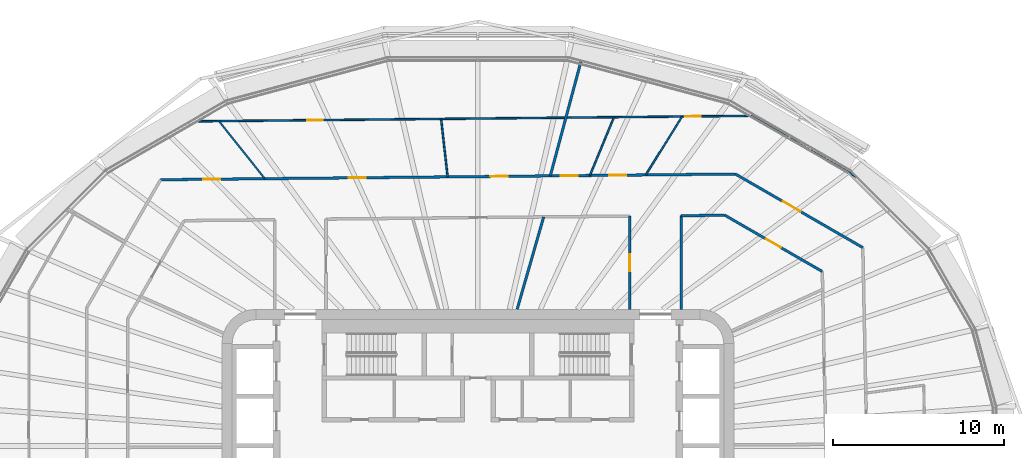
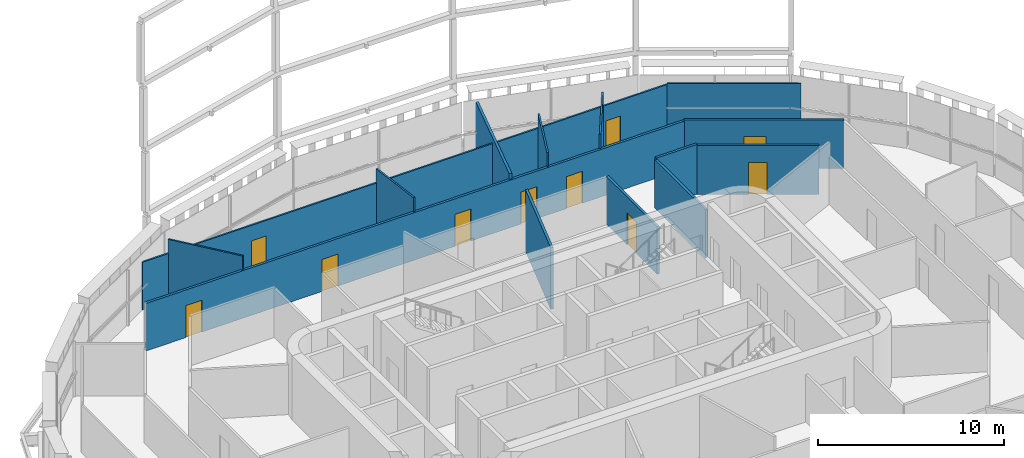
# One storey, part 14 of 22: 14 walls, 10 doors, 10 openings.
"""IFC4 building model written with IfcOpenShell, lengths in metres."""

import ifcopenshell
import ifcopenshell.guid

model = None  # the IFC model being written
_history = None  # IfcOwnerHistory: only IFC2X3 demands one
_inside = {}  # id of a spatial element -> (the spatial element, [elements in it])
_under = {}  # id of a project, library or spatial element -> (it, [spatial elements below it])
_declared = {}  # id of a project -> (the project, [libraries it declares])
_typed = {}  # id of a type object -> (the type object, [elements of that type])
_made_of = {}  # id of a material, layer set ... -> (it, [elements and type objects made of it])


def new_model(schema):
    """Start an empty IFC model of exactly this schema.

    Asked for "IFC4X3", IfcOpenShell would pick the latest addendum, in which some entities
    have other attributes; the version numbers below select the first issue.
    IFC2X3 requires an IfcOwnerHistory on every rooted entity: one is made here for all.
    """
    global model, _history
    if schema == "IFC4X3":
        model = ifcopenshell.file(schema_version=(4, 3, 0, 0))
    else:
        model = ifcopenshell.file(schema=schema)
    _inside.clear()
    _under.clear()
    _declared.clear()
    _typed.clear()
    _made_of.clear()
    _history = None
    if model.schema == "IFC2X3":
        org = make("IfcOrganization", Name="unknown")
        user = make(
            "IfcPersonAndOrganization",
            ThePerson=make("IfcPerson", FamilyName="unknown"),
            TheOrganization=org,
        )
        app = make(
            "IfcApplication",
            ApplicationDeveloper=org,
            Version="unknown",
            ApplicationFullName="unknown",
            ApplicationIdentifier="unknown",
        )
        _history = make(
            "IfcOwnerHistory",
            OwningUser=user,
            OwningApplication=app,
            ChangeAction="ADDED",
            CreationDate=0,
        )
    return model


def make(cls, **values):
    """One entity of the class cls with the attributes given. An attribute that is None is left unset."""
    return model.create_entity(
        cls, **{name: value for name, value in values.items() if value is not None}
    )


def rooted(cls, **values):
    """An entity with a GlobalId (a new one), such as an element, a storey or a relation."""
    return make(cls, GlobalId=ifcopenshell.guid.new(), OwnerHistory=_history, **values)


def si_unit(unit_type, name, prefix=None):
    """IfcSIUnit, for example si_unit("LENGTHUNIT", "METRE", prefix="MILLI")."""
    return make("IfcSIUnit", UnitType=unit_type, Prefix=prefix, Name=name)


def assignment(units):
    """IfcUnitAssignment: the units of a project."""
    return None if units is None else make("IfcUnitAssignment", Units=units)


def point(xyz):
    """IfcCartesianPoint."""
    return None if xyz is None else make("IfcCartesianPoint", Coordinates=xyz)


def direction(xyz):
    """IfcDirection."""
    return None if xyz is None else make("IfcDirection", DirectionRatios=xyz)


def frame(location, z_axis=None, x_axis=None):
    """IfcAxis2Placement3D, a coordinate frame: its origin and axes. An axis left out is left unset."""
    return make(
        "IfcAxis2Placement3D",
        Location=point(location),
        Axis=direction(z_axis),
        RefDirection=direction(x_axis),
    )


def frame_2d(location, x_axis=None):
    """IfcAxis2Placement2D, a coordinate frame in the plane: its origin and x axis."""
    return make(
        "IfcAxis2Placement2D", Location=point(location), RefDirection=direction(x_axis)
    )


def origin():
    """The frame at (0, 0, 0) with its axes left unset."""
    return frame((0.0, 0.0, 0.0))


def place(relative_to, where):
    """IfcLocalPlacement: puts the frame where relative to a parent placement (None: the world)."""
    return make(
        "IfcLocalPlacement", PlacementRelTo=relative_to, RelativePlacement=where
    )


def context(
    kind, dimensions, precision=None, world=None, true_north=None, identifier=None
):
    """IfcGeometricRepresentationContext, for example the 3D "Model" context."""
    return make(
        "IfcGeometricRepresentationContext",
        ContextIdentifier=identifier,
        ContextType=kind,
        CoordinateSpaceDimension=dimensions,
        Precision=precision,
        WorldCoordinateSystem=world,
        TrueNorth=true_north,
    )


def subcontext(parent, identifier, kind, view, scale=None):
    """IfcGeometricRepresentationSubContext, for example "Body" below "Model"."""
    return make(
        "IfcGeometricRepresentationSubContext",
        ContextIdentifier=identifier,
        ContextType=kind,
        ParentContext=parent,
        TargetScale=scale,
        TargetView=view,
    )


def project(units=None, contexts=None):
    """IfcProject with its units and contexts."""
    return rooted(
        "IfcProject",
        Name="project",
        RepresentationContexts=contexts,
        UnitsInContext=assignment(units),
    )


def spatial(cls, under=None, at=None, **own):
    """A site, building, storey or space (cls), placed at a placement, below another one or the project."""
    s = rooted(cls, ObjectPlacement=at, **own)
    if under is not None:
        _under.setdefault(under.id(), (under, []))[1].append(s)
    return s


def profile(cls, at=None, kind="AREA", **sizes):
    """A parametric profile (cls). Its sizes go by their IFC names, for example OverallWidth=200.0."""
    return make(cls, ProfileType=kind, Position=at, **sizes)


def rectangle(**sizes):
    """IfcRectangleProfileDef."""
    return profile("IfcRectangleProfileDef", **sizes)


def extrude(swept, where, along, depth):
    """IfcExtrudedAreaSolid: the profile swept, set in the frame where, extruded along a direction by depth."""
    return make(
        "IfcExtrudedAreaSolid",
        SweptArea=swept,
        Position=where,
        ExtrudedDirection=direction(along),
        Depth=depth,
    )


def shape(context_of_items, identifier, shape_type, items):
    """IfcShapeRepresentation: the items that make up one representation, for example the "Body"."""
    return make(
        "IfcShapeRepresentation",
        ContextOfItems=context_of_items,
        RepresentationIdentifier=identifier,
        RepresentationType=shape_type,
        Items=items,
    )


def material(Name=None, Category=None):
    """IfcMaterial."""
    return make("IfcMaterial", Name=Name, Category=Category)


def layer(
    of_material, thickness, ventilated=None, Name=None, Category=None, Priority=None
):
    """IfcMaterialLayer: one layer of a wall or slab, of a material (None: an air gap)."""
    return make(
        "IfcMaterialLayer",
        Material=of_material,
        LayerThickness=thickness,
        IsVentilated=ventilated,
        Name=Name,
        Category=Category,
        Priority=Priority,
    )


def layer_set(layers, Name=None):
    """IfcMaterialLayerSet."""
    return make("IfcMaterialLayerSet", MaterialLayers=layers, LayerSetName=Name)


def made_of(thing, what):
    """Note that an element or type object is made of a material, layer set ...; save() writes the relation."""
    if what is not None:
        _made_of.setdefault(what.id(), (what, []))[1].append(thing)
    return thing


def type_object(cls, material=None, **own):
    """A type object (cls), such as IfcWallType, which elements share."""
    return made_of(rooted(cls, **own), material)


def element(
    cls,
    number,
    at=None,
    inside=None,
    cuts=None,
    type_object=None,
    material=None,
    context=None,
    identifier="Body",
    shape_type=None,
    held_by="IfcProductDefinitionShape",
    body=None,
    shapes=None,
    **own,
):
    """One element of the class cls, such as IfcWall. Its Tag is "e" and its number.

    at: its placement. inside: the storey or other place that contains it. cuts: it is an
    opening in that element (IfcRelVoidsElement). A single representation is given by context,
    identifier, shape_type and body (its items); several are given by shapes. held_by: the class
    of the entity that holds the representations. save() writes the other relations.
    """
    e = rooted(cls, Tag="e%d" % number, ObjectPlacement=at, **own)
    if body is not None:
        shapes = [shape(context, identifier, shape_type, body)]
    if shapes is not None:
        e.Representation = make(held_by, Representations=shapes)
    if inside is not None:
        _inside.setdefault(inside.id(), (inside, []))[1].append(e)
    if cuts is not None:
        rooted(
            "IfcRelVoidsElement", RelatingBuildingElement=cuts, RelatedOpeningElement=e
        )
    if type_object is not None:
        _typed.setdefault(type_object.id(), (type_object, []))[1].append(e)
    return made_of(e, material)


def fill(opening, filler):
    """IfcRelFillsElement: the door or window that sits in an opening."""
    return rooted(
        "IfcRelFillsElement",
        RelatingOpeningElement=opening,
        RelatedBuildingElement=filler,
    )


def aggregate(whole, parts):
    """IfcRelAggregates: a whole, such as a stair, and the parts it consists of."""
    return rooted("IfcRelAggregates", RelatingObject=whole, RelatedObjects=parts)


def save(model, path):
    """Write the relations noted so far, then the file.

    IfcRelAggregates (storeys below a building ...), IfcRelContainedInSpatialStructure (elements
    in a storey), IfcRelDefinesByType, IfcRelAssociatesMaterial and IfcRelDeclares: one each for
    every whole, place, type object, material and project.
    """
    for whole, parts in _under.values():
        aggregate(whole, parts)
    for where, things in _inside.values():
        rooted(
            "IfcRelContainedInSpatialStructure",
            RelatedElements=things,
            RelatingStructure=where,
        )
    for kind, things in _typed.values():
        rooted("IfcRelDefinesByType", RelatedObjects=things, RelatingType=kind)
    for what, things in _made_of.values():
        rooted("IfcRelAssociatesMaterial", RelatedObjects=things, RelatingMaterial=what)
    for by, libraries in _declared.values():
        rooted("IfcRelDeclares", RelatingContext=by, RelatedDefinitions=libraries)
    model.write(path)


model = new_model("IFC4")

# Units and contexts
model_context = context("Model", 3, precision=1e-05, world=origin(), true_north=direction((0.0, 1.0)))
body_context = subcontext(model_context, "Body", "Model", "MODEL_VIEW")
ifc_project = project(units=[si_unit("LENGTHUNIT", "METRE"), si_unit("AREAUNIT", "SQUARE_METRE"), si_unit("VOLUMEUNIT", "CUBIC_METRE"), si_unit("PLANEANGLEUNIT", "RADIAN"), si_unit("MASSUNIT", "GRAM", prefix="KILO")], contexts=[model_context])

# Site, building, storey
site_placement = place(None, origin())
site = spatial("IfcSite", under=ifc_project, at=site_placement, CompositionType="ELEMENT")
building_placement = place(site_placement, origin())
building = spatial("IfcBuilding", under=site, at=building_placement, Name="Sahrelin Media Tower", CompositionType="ELEMENT")
storey_placement = place(building_placement, frame((0.0, 0.0, 50.39990234375)))
storey = spatial("IfcBuildingStorey", under=building, at=storey_placement, Name="L07", CompositionType="ELEMENT", Elevation=50.39990234375)

# Wall, opening, door
ifc_material_1 = material(Name="Fire-rated gypsum board partition")
ifc_layer_1 = layer(ifc_material_1, 0.14990234375)
ifc_layer_set_1 = layer_set([ifc_layer_1], Name="Fire-rated partition 150")
wall_type_1 = type_object("IfcWallType", Name="Fire-rated partition 150", PredefinedType="PARTITIONING", material=ifc_layer_set_1)
wall_1_placement = place(storey_placement, frame((14.447998046875, 13.514892578125, 0.0), z_axis=(0.0, 0.0, 1.0), x_axis=(0.86594975937, -0.500130997087, 0.0)))
wall_1 = element("IfcWall", 1, at=wall_1_placement, inside=storey, type_object=wall_type_1, Name="Wall", PredefinedType="PARTITIONING", context=body_context, shape_type="SweptSolid", body=[
    extrude(rectangle(XDim=6.603759765625, YDim=0.14990234375, at=frame_2d((3.3017578125, 0.0))), origin(), (0.0, 0.0, 1.0), 3.1953125),
])
opening_1_placement = place(wall_1_placement, frame((2.8046875, 0.0, 0.0)))
opening_1 = element("IfcOpeningElement", 2, at=opening_1_placement, cuts=wall_1, Name="Opening L07-D29", PredefinedType="OPENING", context=body_context, shape_type="SweptSolid", body=[
    extrude(rectangle(XDim=1.0, YDim=2.10009765625, at=frame_2d((0.5, 1.050048828125))), frame((0.0, 0.074951171875, 0.0), z_axis=(0.0, -1.0, 0.0), x_axis=(1.0, 0.0, 0.0)), (0.0, 0.0, 1.0), 0.14990234375),
])
ifc_material_2 = material(Name="Steel fire door leaf", Category="steel")
door_type_1 = type_object("IfcDoorType", Name="Fire door 1000 x 2100 EI 60", OperationType="NOTDEFINED", PredefinedType="DOOR", material=ifc_material_2)
door_1_placement = place(opening_1_placement, origin())
door_1 = element("IfcDoor", 3, at=door_1_placement, inside=storey, type_object=door_type_1, Name="Fire door", OperationType="SINGLE_SWING_LEFT", OverallHeight=2.10009765625, OverallWidth=1.0, PredefinedType="DOOR", context=body_context, shape_type="SweptSolid", body=[
    extrude(rectangle(XDim=1.0, YDim=2.10009765625, at=frame_2d((0.5, 1.050048828125))), frame((0.0, 0.02490234375, 0.0), z_axis=(0.0, -1.0, 0.0), x_axis=(1.0, 0.0, 0.0)), (0.0, 0.0, 1.0), 0.050048828125),
])
fill(opening_1, door_1)

wall_2_placement = place(storey_placement, frame((15.080078125, 15.9208984375, 0.0), z_axis=(0.0, 0.0, 1.0), x_axis=(0.865938192663, -0.500151023679, 0.0)))
wall_2 = element("IfcWall", 4, at=wall_2_placement, inside=storey, type_object=wall_type_1, Name="Wall", PredefinedType="PARTITIONING", context=body_context, shape_type="SweptSolid", body=[
    extrude(rectangle(XDim=8.612548828125, YDim=0.14990234375, at=frame_2d((4.30615234375, 0.0))), origin(), (0.0, 0.0, 1.0), 3.1953125),
])
opening_2_placement = place(wall_2_placement, frame((3.2099609375, 0.0, 0.0)))
opening_2 = element("IfcOpeningElement", 5, at=opening_2_placement, cuts=wall_2, Name="Opening L07-D38", PredefinedType="OPENING", context=body_context, shape_type="SweptSolid", body=[
    extrude(rectangle(XDim=1.199951171875, YDim=2.10009765625, at=frame_2d((0.60009765625, 1.050048828125))), frame((0.0, 0.074951171875, 0.0), z_axis=(0.0, -1.0, 0.0), x_axis=(1.0, 0.0, 0.0)), (0.0, 0.0, 1.0), 0.14990234375),
])
door_type_2 = type_object("IfcDoorType", Name="Service double door 1200 x 2100 EI 60", OperationType="DOUBLE_DOOR_SINGLE_SWING", PredefinedType="DOOR", material=ifc_material_2)
door_2_placement = place(opening_2_placement, origin())
door_2 = element("IfcDoor", 6, at=door_2_placement, inside=storey, type_object=door_type_2, Name="Service double door", OperationType="DOUBLE_DOOR_SINGLE_SWING", OverallHeight=2.10009765625, OverallWidth=1.199951171875, PredefinedType="DOOR", context=body_context, shape_type="SweptSolid", body=[
    extrude(rectangle(XDim=1.199951171875, YDim=2.10009765625, at=frame_2d((0.60009765625, 1.050048828125))), frame((0.0, 0.02490234375, 0.0), z_axis=(0.0, -1.0, 0.0), x_axis=(1.0, 0.0, 0.0)), (0.0, 0.0, 1.0), 0.050048828125),
])
fill(opening_2, door_2)

# Wall
wall_3_placement = place(storey_placement, frame((11.89990234375, 13.47998046875, 0.0), z_axis=(0.0, 0.0, 1.0), x_axis=(0.999950357576, 0.009964054536, 0.0)))
element("IfcWall", 7, at=wall_3_placement, inside=storey, type_object=wall_type_1, Name="Wall", PredefinedType="PARTITIONING", context=body_context, shape_type="SweptSolid", body=[
    extrude(rectangle(XDim=2.54833984375, YDim=0.14990234375, at=frame_2d((1.274169921875, 0.0))), origin(), (0.0, 0.0, 1.0), 3.276123046875),
])

# Wall, openings, doors
wall_4_placement = place(storey_placement, frame((-18.5869140625, 15.58642578125, 0.0), z_axis=(0.0, 0.0, 1.0), x_axis=(0.99995087003, 0.009912493396, 0.0)))
wall_4 = element("IfcWall", 8, at=wall_4_placement, inside=storey, type_object=wall_type_1, Name="Wall", PredefinedType="PARTITIONING", context=body_context, shape_type="SweptSolid", body=[
    extrude(rectangle(XDim=33.668701171875, YDim=0.14990234375, at=frame_2d((16.83447265625, 0.0))), origin(), (0.0, 0.0, 1.0), 3.127197265625),
])
opening_3_placement = place(wall_4_placement, frame((26.285400390625, 0.0, 0.0)))
opening_3 = element("IfcOpeningElement", 9, at=opening_3_placement, cuts=wall_4, Name="Opening L07-D39", PredefinedType="OPENING", context=body_context, shape_type="SweptSolid", body=[
    extrude(rectangle(XDim=1.0, YDim=2.10009765625, at=frame_2d((0.5, 1.050048828125))), frame((0.0, 0.074951171875, 0.0), z_axis=(0.0, -1.0, 0.0), x_axis=(1.0, 0.0, 0.0)), (0.0, 0.0, 1.0), 0.14990234375),
])
opening_4_placement = place(wall_4_placement, frame((23.42529296875, 0.0, 0.0)))
opening_4 = element("IfcOpeningElement", 10, at=opening_4_placement, cuts=wall_4, Name="Opening L07-D40", PredefinedType="OPENING", context=body_context, shape_type="SweptSolid", body=[
    extrude(rectangle(XDim=1.0, YDim=2.10009765625, at=frame_2d((0.5, 1.050048828125))), frame((0.0, 0.074951171875, 0.0), z_axis=(0.0, -1.0, 0.0), x_axis=(1.0, 0.0, 0.0)), (0.0, 0.0, 1.0), 0.14990234375),
])
opening_5_placement = place(wall_4_placement, frame((19.318603515625, 0.0, 0.0)))
opening_5 = element("IfcOpeningElement", 11, at=opening_5_placement, cuts=wall_4, Name="Opening L07-D42", PredefinedType="OPENING", context=body_context, shape_type="SweptSolid", body=[
    extrude(rectangle(XDim=1.0, YDim=2.10009765625, at=frame_2d((0.5, 1.050048828125))), frame((0.0, 0.074951171875, 0.0), z_axis=(0.0, -1.0, 0.0), x_axis=(1.0, 0.0, 0.0)), (0.0, 0.0, 1.0), 0.14990234375),
])
opening_6_placement = place(wall_4_placement, frame((11.010498046875, 0.0, 0.0)))
opening_6 = element("IfcOpeningElement", 12, at=opening_6_placement, cuts=wall_4, Name="Opening L07-D43", PredefinedType="OPENING", context=body_context, shape_type="SweptSolid", body=[
    extrude(rectangle(XDim=1.0, YDim=2.10009765625, at=frame_2d((0.5, 1.050048828125))), frame((0.0, 0.074951171875, 0.0), z_axis=(0.0, -1.0, 0.0), x_axis=(1.0, 0.0, 0.0)), (0.0, 0.0, 1.0), 0.14990234375),
])
opening_7_placement = place(wall_4_placement, frame((2.50390625, 0.0, 0.0)))
opening_7 = element("IfcOpeningElement", 13, at=opening_7_placement, cuts=wall_4, Name="Opening L07-D44", PredefinedType="OPENING", context=body_context, shape_type="SweptSolid", body=[
    extrude(rectangle(XDim=1.0, YDim=2.10009765625, at=frame_2d((0.5, 1.050048828125))), frame((0.0, 0.074951171875, 0.0), z_axis=(0.0, -1.0, 0.0), x_axis=(1.0, 0.0, 0.0)), (0.0, 0.0, 1.0), 0.14990234375),
])
door_3_placement = place(opening_3_placement, origin())
door_3 = element("IfcDoor", 14, at=door_3_placement, inside=storey, type_object=door_type_1, Name="Fire door", OperationType="SINGLE_SWING_RIGHT", OverallHeight=2.10009765625, OverallWidth=1.0, PredefinedType="DOOR", context=body_context, shape_type="SweptSolid", body=[
    extrude(rectangle(XDim=1.0, YDim=2.10009765625, at=frame_2d((0.5, 1.050048828125))), frame((0.0, 0.02490234375, 0.0), z_axis=(0.0, -1.0, 0.0), x_axis=(1.0, 0.0, 0.0)), (0.0, 0.0, 1.0), 0.050048828125),
])
fill(opening_3, door_3)
door_4_placement = place(opening_4_placement, origin())
door_4 = element("IfcDoor", 15, at=door_4_placement, inside=storey, type_object=door_type_1, Name="Fire door", OperationType="SINGLE_SWING_RIGHT", OverallHeight=2.10009765625, OverallWidth=1.0, PredefinedType="DOOR", context=body_context, shape_type="SweptSolid", body=[
    extrude(rectangle(XDim=1.0, YDim=2.10009765625, at=frame_2d((0.5, 1.050048828125))), frame((0.0, 0.02490234375, 0.0), z_axis=(0.0, -1.0, 0.0), x_axis=(1.0, 0.0, 0.0)), (0.0, 0.0, 1.0), 0.050048828125),
])
fill(opening_4, door_4)
door_5_placement = place(opening_5_placement, origin())
door_5 = element("IfcDoor", 16, at=door_5_placement, inside=storey, type_object=door_type_1, Name="Fire door", OperationType="SINGLE_SWING_RIGHT", OverallHeight=2.10009765625, OverallWidth=1.0, PredefinedType="DOOR", context=body_context, shape_type="SweptSolid", body=[
    extrude(rectangle(XDim=1.0, YDim=2.10009765625, at=frame_2d((0.5, 1.050048828125))), frame((0.0, 0.02490234375, 0.0), z_axis=(0.0, -1.0, 0.0), x_axis=(1.0, 0.0, 0.0)), (0.0, 0.0, 1.0), 0.050048828125),
])
fill(opening_5, door_5)
door_6_placement = place(opening_6_placement, origin())
door_6 = element("IfcDoor", 17, at=door_6_placement, inside=storey, type_object=door_type_1, Name="Fire door", OperationType="SINGLE_SWING_LEFT", OverallHeight=2.10009765625, OverallWidth=1.0, PredefinedType="DOOR", context=body_context, shape_type="SweptSolid", body=[
    extrude(rectangle(XDim=1.0, YDim=2.10009765625, at=frame_2d((0.5, 1.050048828125))), frame((0.0, 0.02490234375, 0.0), z_axis=(0.0, -1.0, 0.0), x_axis=(1.0, 0.0, 0.0)), (0.0, 0.0, 1.0), 0.050048828125),
])
fill(opening_6, door_6)
door_7_placement = place(opening_7_placement, origin())
door_7 = element("IfcDoor", 18, at=door_7_placement, inside=storey, type_object=door_type_1, Name="Fire door", OperationType="SINGLE_SWING_LEFT", OverallHeight=2.10009765625, OverallWidth=1.0, PredefinedType="DOOR", context=body_context, shape_type="SweptSolid", body=[
    extrude(rectangle(XDim=1.0, YDim=2.10009765625, at=frame_2d((0.5, 1.050048828125))), frame((0.0, 0.02490234375, 0.0), z_axis=(0.0, -1.0, 0.0), x_axis=(1.0, 0.0, 0.0)), (0.0, 0.0, 1.0), 0.050048828125),
])
fill(opening_7, door_7)

# Walls
wall_5_placement = place(storey_placement, frame((2.2958984375, 8.0, 0.0), z_axis=(0.0, 0.0, 1.0), x_axis=(0.275958345059, 0.961169595749, 0.0)))
element("IfcWall", 19, at=wall_5_placement, inside=storey, type_object=wall_type_1, Name="Wall", PredefinedType="PARTITIONING", context=body_context, shape_type="SweptSolid", body=[
    extrude(rectangle(XDim=5.62841796875, YDim=0.14990234375, at=frame_2d((2.814208984375, 0.0))), origin(), (0.0, 0.0, 1.0), 4.050048828125),
])
wall_6_placement = place(storey_placement, frame((4.237060546875, 15.81298828125, 0.0), z_axis=(0.0, 0.0, 1.0), x_axis=(0.25883764095, 0.965920843355, 0.0)))
element("IfcWall", 20, at=wall_6_placement, inside=storey, type_object=wall_type_1, Name="Wall", PredefinedType="PARTITIONING", context=body_context, shape_type="SweptSolid", body=[
    extrude(rectangle(XDim=6.969482421875, YDim=0.14990234375, at=frame_2d((3.48486328125, 0.0))), origin(), (0.0, 0.0, 1.0), 3.501708984375),
])
wall_7_placement = place(storey_placement, frame((11.89990234375, 8.0, 0.0), z_axis=(0.0, 0.0, 1.0), x_axis=(0.0, 1.0, 0.0)))
element("IfcWall", 21, at=wall_7_placement, inside=storey, type_object=wall_type_1, Name="Wall", PredefinedType="PARTITIONING", context=body_context, shape_type="SweptSolid", body=[
    extrude(rectangle(XDim=5.47900390625, YDim=0.14990234375, at=frame_2d((2.739501953125, 0.0))), origin(), (0.0, 0.0, 1.0), 3.1953125),
])

# Wall, opening, door
wall_8_placement = place(storey_placement, frame((8.89990234375, 8.0, 0.0), z_axis=(0.0, 0.0, 1.0), x_axis=(0.0, 1.0, 0.0)))
wall_8 = element("IfcWall", 22, at=wall_8_placement, inside=storey, type_object=wall_type_1, Name="Wall", PredefinedType="PARTITIONING", context=body_context, shape_type="SweptSolid", body=[
    extrude(rectangle(XDim=5.4599609375, YDim=0.14990234375, at=frame_2d((2.72998046875, 0.0))), origin(), (0.0, 0.0, 1.0), 3.127197265625),
])
opening_8_placement = place(wall_8_placement, frame((2.22998046875, 0.0, 0.0)))
opening_8 = element("IfcOpeningElement", 23, at=opening_8_placement, cuts=wall_8, Name="Opening L07-D30", PredefinedType="OPENING", context=body_context, shape_type="SweptSolid", body=[
    extrude(rectangle(XDim=1.0, YDim=2.10009765625, at=frame_2d((0.5, 1.050048828125))), frame((0.0, 0.074951171875, 0.0), z_axis=(0.0, -1.0, 0.0), x_axis=(1.0, 0.0, 0.0)), (0.0, 0.0, 1.0), 0.14990234375),
])
door_8_placement = place(opening_8_placement, origin())
door_8 = element("IfcDoor", 24, at=door_8_placement, inside=storey, type_object=door_type_1, Name="Fire door", OperationType="SINGLE_SWING_RIGHT", OverallHeight=2.10009765625, OverallWidth=1.0, PredefinedType="DOOR", context=body_context, shape_type="SweptSolid", body=[
    extrude(rectangle(XDim=1.0, YDim=2.10009765625, at=frame_2d((0.5, 1.050048828125))), frame((0.0, 0.02490234375, 0.0), z_axis=(0.0, -1.0, 0.0), x_axis=(1.0, 0.0, 0.0)), (0.0, 0.0, 1.0), 0.050048828125),
])
fill(opening_8, door_8)

# Walls
ifc_material_3 = material(Name="Gypsum board partition")
ifc_layer_2 = layer(ifc_material_3, 0.10009765625)
ifc_layer_set_2 = layer_set([ifc_layer_2], Name="Partition 100")
wall_type_2 = type_object("IfcWallType", Name="Partition 100", PredefinedType="PARTITIONING", material=ifc_layer_set_2)
wall_9_placement = place(storey_placement, frame((-2.157958984375, 19.15087890625, 0.0), z_axis=(0.0, 0.0, 1.0), x_axis=(0.11205394809, -0.993702124742, 0.0)))
element("IfcWall", 25, at=wall_9_placement, inside=storey, type_object=wall_type_2, Name="Wall", PredefinedType="PARTITIONING", context=body_context, shape_type="SweptSolid", body=[
    extrude(rectangle(XDim=3.41845703125, YDim=0.10009765625, at=frame_2d((1.709228515625, 0.0))), origin(), (0.0, 0.0, 1.0), 4.050048828125),
])
wall_10_placement = place(storey_placement, frame((-15.1689453125, 19.02099609375, 0.0), z_axis=(0.0, 0.0, 1.0), x_axis=(0.623493525826, -0.781828512689, 0.0)))
element("IfcWall", 26, at=wall_10_placement, inside=storey, type_object=wall_type_2, Name="Wall", PredefinedType="PARTITIONING", context=body_context, shape_type="SweptSolid", body=[
    extrude(rectangle(XDim=4.314208984375, YDim=0.10009765625, at=frame_2d((2.1572265625, 0.0))), origin(), (0.0, 0.0, 1.0), 4.050048828125),
])
wall_11_placement = place(storey_placement, frame((15.97509765625, 19.330078125, 0.0), z_axis=(0.0, 0.0, 1.0), x_axis=(0.866055347786, -0.499948131882, 0.0)))
element("IfcWall", 27, at=wall_11_placement, inside=storey, type_object=wall_type_2, Name="Wall", PredefinedType="PARTITIONING", context=body_context, shape_type="SweptSolid", body=[
    extrude(rectangle(XDim=7.210693359375, YDim=0.10009765625, at=frame_2d((3.60546875, 0.0))), origin(), (0.0, 0.0, 1.0), 3.1953125),
])

# Wall, openings, doors
wall_12_placement = place(storey_placement, frame((-16.8330078125, 19.0048828125, 0.0), z_axis=(0.0, 0.0, 1.0), x_axis=(0.999951173888, 0.009881793387, 0.0)))
wall_12 = element("IfcWall", 28, at=wall_12_placement, inside=storey, type_object=wall_type_2, Name="Wall", PredefinedType="PARTITIONING", context=body_context, shape_type="SweptSolid", body=[
    extrude(rectangle(XDim=32.809814453125, YDim=0.10009765625, at=frame_2d((16.40478515625, 0.0))), origin(), (0.0, 0.0, 1.0), 3.127197265625),
])
opening_9_placement = place(wall_12_placement, frame((28.980224609375, 0.0, 0.0)))
opening_9 = element("IfcOpeningElement", 29, at=opening_9_placement, cuts=wall_12, Name="Opening L07-D41", PredefinedType="OPENING", context=body_context, shape_type="SweptSolid", body=[
    extrude(rectangle(XDim=0.89990234375, YDim=2.10009765625, at=frame_2d((0.449951171875, 1.050048828125))), frame((0.0, 0.050048828125, 0.0), z_axis=(0.0, -1.0, 0.0), x_axis=(1.0, 0.0, 0.0)), (0.0, 0.0, 1.0), 0.10009765625),
])
opening_10_placement = place(wall_12_placement, frame((6.839599609375, 0.0, 0.0)))
opening_10 = element("IfcOpeningElement", 30, at=opening_10_placement, cuts=wall_12, Name="Opening L07-D45", PredefinedType="OPENING", context=body_context, shape_type="SweptSolid", body=[
    extrude(rectangle(XDim=0.89990234375, YDim=2.10009765625, at=frame_2d((0.449951171875, 1.050048828125))), frame((0.0, 0.050048828125, 0.0), z_axis=(0.0, -1.0, 0.0), x_axis=(1.0, 0.0, 0.0)), (0.0, 0.0, 1.0), 0.10009765625),
])
ifc_material_4 = material(Name="Timber door leaf", Category="wood")
door_type_3 = type_object("IfcDoorType", Name="Single door 900 x 2100", OperationType="NOTDEFINED", PredefinedType="DOOR", material=ifc_material_4)
door_9_placement = place(opening_9_placement, origin())
door_9 = element("IfcDoor", 31, at=door_9_placement, inside=storey, type_object=door_type_3, Name="Single door", OperationType="SINGLE_SWING_LEFT", OverallHeight=2.10009765625, OverallWidth=0.89990234375, PredefinedType="DOOR", context=body_context, shape_type="SweptSolid", body=[
    extrude(rectangle(XDim=0.89990234375, YDim=2.10009765625, at=frame_2d((0.449951171875, 1.050048828125))), frame((0.0, 0.02490234375, 0.0), z_axis=(0.0, -1.0, 0.0), x_axis=(1.0, 0.0, 0.0)), (0.0, 0.0, 1.0), 0.050048828125),
])
fill(opening_9, door_9)
door_10_placement = place(opening_10_placement, origin())
door_10 = element("IfcDoor", 32, at=door_10_placement, inside=storey, type_object=door_type_3, Name="Single door", OperationType="SINGLE_SWING_LEFT", OverallHeight=2.10009765625, OverallWidth=0.89990234375, PredefinedType="DOOR", context=body_context, shape_type="SweptSolid", body=[
    extrude(rectangle(XDim=0.89990234375, YDim=2.10009765625, at=frame_2d((0.449951171875, 1.050048828125))), frame((0.0, 0.02490234375, 0.0), z_axis=(0.0, -1.0, 0.0), x_axis=(1.0, 0.0, 0.0)), (0.0, 0.0, 1.0), 0.050048828125),
])
fill(opening_10, door_10)

# Walls
wall_13_placement = place(storey_placement, frame((9.833984375, 15.868896484375, 0.0), z_axis=(0.0, 0.0, 1.0), x_axis=(0.526937040235, 0.849904321456, 0.0)))
element("IfcWall", 33, at=wall_13_placement, inside=storey, type_object=wall_type_2, Name="Wall", PredefinedType="PARTITIONING", context=body_context, shape_type="SweptSolid", body=[
    extrude(rectangle(XDim=4.025390625, YDim=0.10009765625, at=frame_2d((2.0126953125, 0.0))), origin(), (0.0, 0.0, 1.0), 4.050048828125),
])
wall_14_placement = place(storey_placement, frame((6.555908203125, 15.8359375, 0.0), z_axis=(0.0, 0.0, 1.0), x_axis=(0.38256958401, 0.923926681826, 0.0)))
element("IfcWall", 34, at=wall_14_placement, inside=storey, type_object=wall_type_2, Name="Wall", PredefinedType="PARTITIONING", context=body_context, shape_type="SweptSolid", body=[
    extrude(rectangle(XDim=3.6962890625, YDim=0.10009765625, at=frame_2d((1.84814453125, 0.0))), origin(), (0.0, 0.0, 1.0), 4.050048828125),
])

save(model, "model.ifc")
